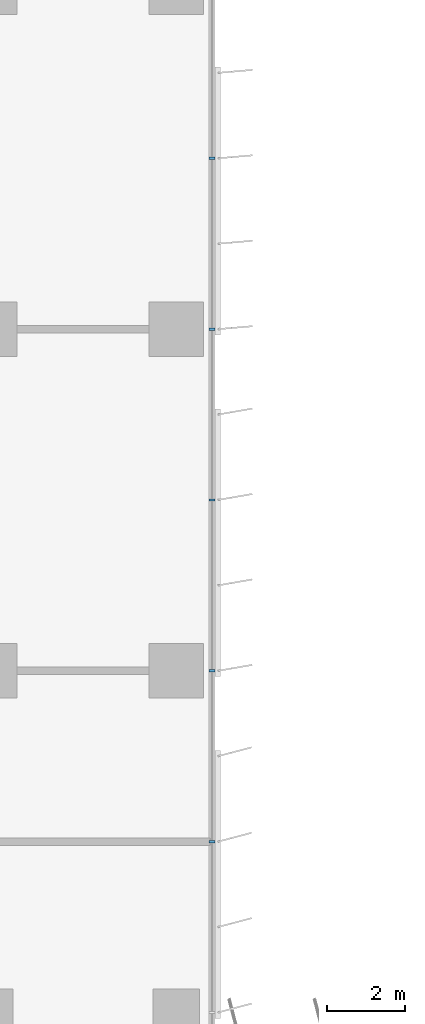
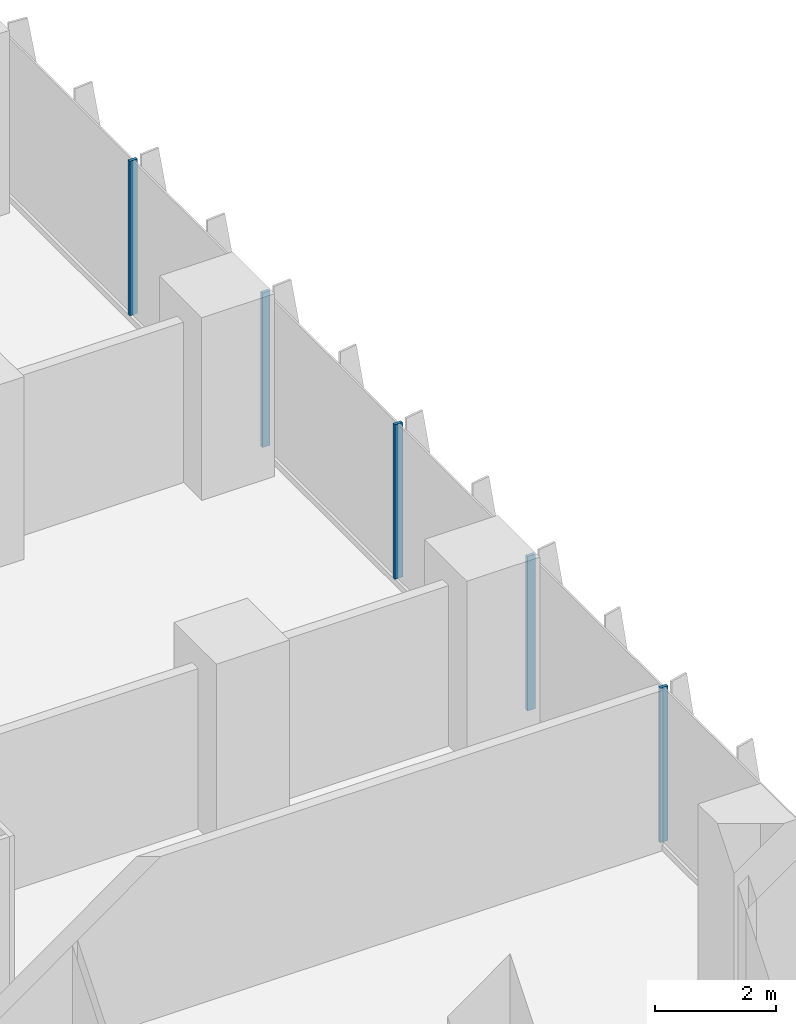
# One storey, part 5 of 24: 5 members, 1 element without a shape of its own.
"""IFC4 building model written with IfcOpenShell, lengths in metres."""

from ifc_helpers import new_model, si_unit, direction, frame, origin, origin_2d, place, context, subcontext, project, spatial, rectangle, extrude, source, transform, mapped, material, material_profile, profile_set, type_object, element, aggregate, save


model = new_model("IFC4")

# Units and contexts
model_context = context("Model", 3, precision=1e-05, world=origin(), true_north=direction((0.0, 1.0)))
body_context = subcontext(model_context, "Body", "Model", "MODEL_VIEW")
ifc_project = project(units=[si_unit("LENGTHUNIT", "METRE"), si_unit("AREAUNIT", "SQUARE_METRE"), si_unit("VOLUMEUNIT", "CUBIC_METRE"), si_unit("PLANEANGLEUNIT", "RADIAN"), si_unit("MASSUNIT", "GRAM", prefix="KILO")], contexts=[model_context])

# Site, building, storey
site_placement = place(None, origin())
site = spatial("IfcSite", under=ifc_project, at=site_placement, CompositionType="ELEMENT")
building_placement = place(site_placement, origin())
building = spatial("IfcBuilding", under=site, at=building_placement, Name="Kemantara Hotel Tower", CompositionType="ELEMENT")
storey_placement = place(building_placement, frame((0.0, 0.0, 79.699951171875)))
storey = spatial("IfcBuildingStorey", under=building, at=storey_placement, Name="L18", CompositionType="ELEMENT", Elevation=79.699951171875)

# Curtain wall, members
ifc_material_1 = material(Name="Low-E tinted double insulated glass 36 mm", Category="glass")
curtain_wall_type = type_object("IfcCurtainWallType", Name="TOWER CURTAIN WALL, FRONT FACES", PredefinedType="USERDEFINED", material=ifc_material_1)
curtain_wall_placement = place(storey_placement, origin())
curtain_wall = element("IfcCurtainWall", 1, at=curtain_wall_placement, inside=storey, type_object=curtain_wall_type, Name="CW4 L18 T1-R08-1", ObjectType="TOWER CURTAIN WALL, FRONT FACES", PredefinedType="USERDEFINED")
ifc_material_2 = material(Name="Aluminium 6063-T6 bronze anodised", Category="aluminium")
ifc_material_profile = material_profile(ifc_material_2, rectangle(XDim=0.14990234375, YDim=0.06005859375, at=origin_2d()), Name="TOWER CURTAIN WALL, FRONT FACES MULLION")
ifc_profile_set = profile_set([ifc_material_profile], Name="Aluminium 6063-T6 bronze anodised")
member_type = type_object("IfcMemberType", Name="TOWER CURTAIN WALL, FRONT FACES MULLION", PredefinedType="MULLION", material=ifc_profile_set)
shared_shape = source(origin(), body_context, "Body", "SweptSolid", [
    extrude(rectangle(XDim=0.14990234375, YDim=0.06005859375, at=origin_2d()), origin(), (0.0, 0.0, 1.0), 3.1298828125),
])
member_1_placement = place(storey_placement, frame((26.72509765625, 31.800048828125, 0.1201171875), z_axis=(0.0, 0.0, 1.0), x_axis=(-1.0, 0.0, 0.0)))
member_1 = element("IfcMember", 2, at=member_1_placement, type_object=member_type, Name="CW4 mullion T1-R08-1.3", PredefinedType="MULLION", context=body_context, shape_type="MappedRepresentation", body=[
    mapped(shared_shape, transform((0.0, 0.0, 0.0))),
])
member_2_placement = place(storey_placement, frame((26.72509765625, 36.199951171875, 0.1201171875), z_axis=(0.0, 0.0, 1.0), x_axis=(-1.0, 0.0, 0.0)))
member_2 = element("IfcMember", 3, at=member_2_placement, type_object=member_type, Name="CW4 mullion T1-R08-1.4", PredefinedType="MULLION", context=body_context, shape_type="MappedRepresentation", body=[
    mapped(shared_shape, transform((0.0, 0.0, 0.0))),
])
member_3_placement = place(storey_placement, frame((26.72509765625, 40.60009765625, 0.1201171875), z_axis=(0.0, 0.0, 1.0), x_axis=(-1.0, 0.0, 0.0)))
member_3 = element("IfcMember", 4, at=member_3_placement, type_object=member_type, Name="CW4 mullion T1-R08-1.5", PredefinedType="MULLION", context=body_context, shape_type="MappedRepresentation", body=[
    mapped(shared_shape, transform((0.0, 0.0, 0.0))),
])
member_4_placement = place(storey_placement, frame((26.72509765625, 45.0, 0.1201171875), z_axis=(0.0, 0.0, 1.0), x_axis=(-1.0, 0.0, 0.0)))
member_4 = element("IfcMember", 5, at=member_4_placement, type_object=member_type, Name="CW4 mullion T1-R08-1.6", PredefinedType="MULLION", context=body_context, shape_type="MappedRepresentation", body=[
    mapped(shared_shape, transform((0.0, 0.0, 0.0))),
])
member_5_placement = place(storey_placement, frame((26.72509765625, 49.39990234375, 0.1201171875), z_axis=(0.0, 0.0, 1.0), x_axis=(-1.0, 0.0, 0.0)))
member_5 = element("IfcMember", 6, at=member_5_placement, type_object=member_type, Name="CW4 mullion T1-R08-1.7", PredefinedType="MULLION", context=body_context, shape_type="MappedRepresentation", body=[
    mapped(shared_shape, transform((0.0, 0.0, 0.0))),
])
aggregate(curtain_wall, [member_1, member_2, member_3, member_4, member_5])

save(model, "model.ifc")
